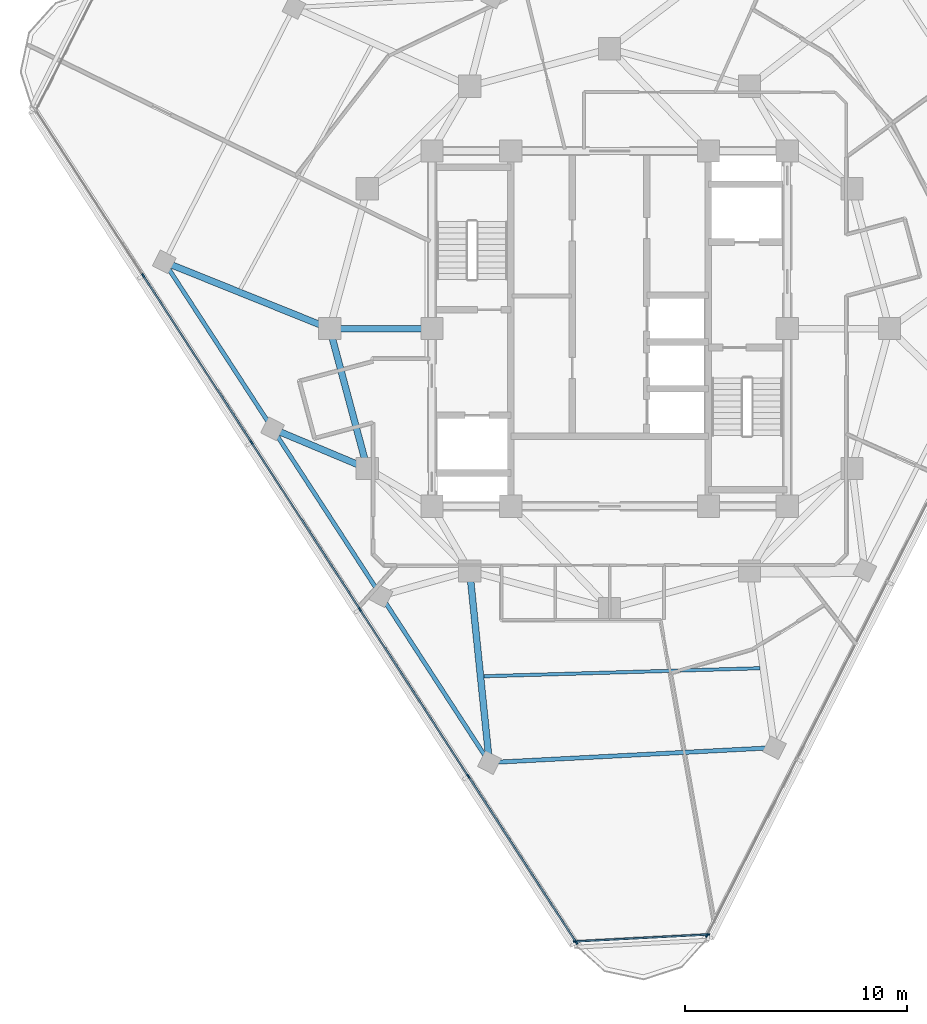
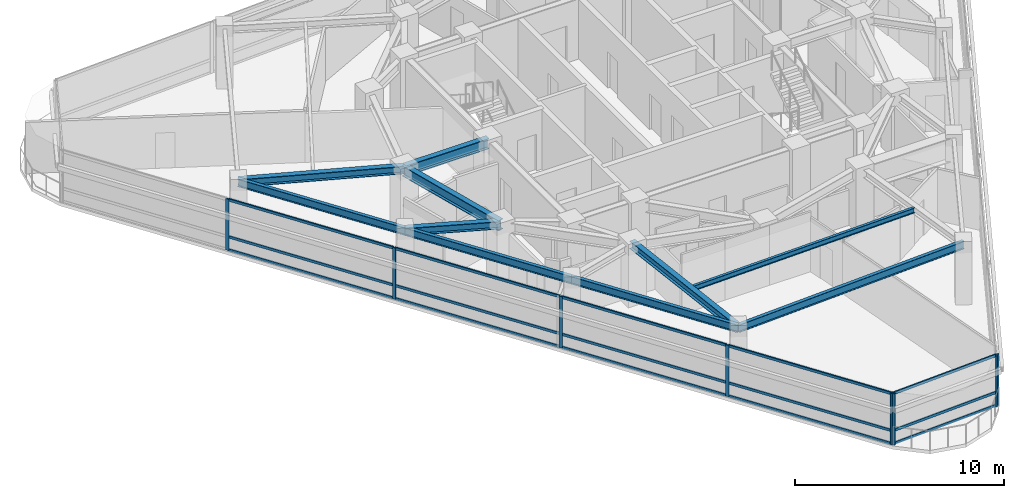
# One storey, part 2 of 15: 23 members, 10 beams, 3 elements without a shape of their own.
"""IFC4 building model written with IfcOpenShell, lengths in metres."""

from ifc_helpers import new_model, si_unit, direction, frame, origin, origin_2d, place, context, subcontext, project, spatial, rectangle, i_section, extrude, material, layer, layer_set, material_profile, profile_set, type_object, element, aggregate, save


model = new_model("IFC4")

# Units and contexts
model_context = context("Model", 3, precision=1e-05, world=origin(), true_north=direction((0.0, 1.0)))
body_context = subcontext(model_context, "Body", "Model", "MODEL_VIEW")
ifc_project = project(units=[si_unit("LENGTHUNIT", "METRE"), si_unit("AREAUNIT", "SQUARE_METRE"), si_unit("VOLUMEUNIT", "CUBIC_METRE"), si_unit("PLANEANGLEUNIT", "RADIAN"), si_unit("MASSUNIT", "GRAM", prefix="KILO")], contexts=[model_context])

# Site, building, storey
site_placement = place(None, origin())
site = spatial("IfcSite", under=ifc_project, at=site_placement, CompositionType="ELEMENT")
building_placement = place(site_placement, origin())
building = spatial("IfcBuilding", under=site, at=building_placement, Name="Terralouvre Media Tower", CompositionType="ELEMENT")
storey_placement = place(building_placement, frame((0.0, 0.0, 248.5)))
storey = spatial("IfcBuildingStorey", under=building, at=storey_placement, Name="L64", CompositionType="ELEMENT", Elevation=248.5)

# Beam
ifc_material_1 = material(Name="Structural steel S355J2", Category="steel")
ifc_material_profile_1 = material_profile(ifc_material_1, i_section(OverallWidth=0.14990234375, OverallDepth=0.300048828125, WebThickness=0.007080078125, FlangeThickness=0.0107421875, at=origin_2d()), Name="IPE 300")
ifc_profile_set_1 = profile_set([ifc_material_profile_1], Name="Structural steel S355J2")
beam_type_1 = type_object("IfcBeamType", Name="Composite Floor Joist J-IPE300 (IPE 300)", PredefinedType="JOIST", material=ifc_profile_set_1)
beam_1_placement = place(storey_placement, frame((-5.662353515625, -15.653564453125, 3.35009765625), z_axis=(0.999577320821, 0.029071974473, 0.0), x_axis=(-0.029071974473, 0.999577320821, 0.0)))
element("IfcBeam", 1, at=beam_1_placement, inside=storey, type_object=beam_type_1, Name="L64 Framing Beam JT-L64-01", PredefinedType="JOIST", context=body_context, shape_type="SweptSolid", body=[
    extrude(i_section(OverallWidth=0.14990234375, OverallDepth=0.300048828125, WebThickness=0.007080078125, FlangeThickness=0.0107421875, at=origin_2d()), origin(), (0.0, 0.0, 1.0), 12.437255859375),
])

# Curtain wall, members
ifc_material_2 = material(Name="Low-iron laminated double glazing with solar-control coating", Category="glass")
ifc_layer_1 = layer(ifc_material_2, 0.1650390625, Name="Upper Executive Tower Curtain Wall CW-05")
ifc_layer_set_1 = layer_set([ifc_layer_1], Name="Low-iron laminated double glazing with solar-control coating")
curtain_wall_type_1 = type_object("IfcCurtainWallType", Name="Upper Executive Tower Curtain Wall CW-05", PredefinedType="NOTDEFINED", material=ifc_layer_set_1)
curtain_wall_1_placement = place(storey_placement, origin())
curtain_wall_1 = element("IfcCurtainWall", 2, at=curtain_wall_1_placement, inside=storey, type_object=curtain_wall_type_1, Name="L64 Facade Curtain Wall F2", PredefinedType="NOTDEFINED")
ifc_material_3 = material(Name="Anodised extruded aluminium 6063-T6", Category="aluminium")
ifc_material_profile_2 = material_profile(ifc_material_3, rectangle(XDim=0.074951171875, YDim=0.14990234375, at=origin_2d()), Name="ALU 75x150")
ifc_profile_set_2 = profile_set([ifc_material_profile_2], Name="Anodised extruded aluminium 6063-T6")
member_type_1 = type_object("IfcMemberType", Name="Curtain-Wall Horizontal Transom TR-150", PredefinedType="USERDEFINED", material=ifc_profile_set_2)
member_1_placement = place(storey_placement, frame((-20.98046875, 2.355712890625, 0.03759765625), z_axis=(0.544647362145, -0.838665160185, 0.0), x_axis=(0.838665160185, 0.544647362145, 0.0)))
member_1 = element("IfcMember", 3, at=member_1_placement, type_object=member_type_1, Name="CW-05 transom 2.1", ObjectType="TRANSOM", PredefinedType="USERDEFINED", context=body_context, shape_type="SweptSolid", body=[
    extrude(rectangle(XDim=0.074951171875, YDim=0.14990234375, at=origin_2d()), origin(), (0.0, 0.0, 1.0), 8.884765625),
])
member_2_placement = place(storey_placement, frame((-20.98046875, 2.355712890625, 0.800048828125), z_axis=(0.544647362145, -0.838665160185, 0.0), x_axis=(0.838665160185, 0.544647362145, 0.0)))
member_2 = element("IfcMember", 4, at=member_2_placement, type_object=member_type_1, Name="CW-05 transom 2.2", ObjectType="TRANSOM", PredefinedType="USERDEFINED", context=body_context, shape_type="SweptSolid", body=[
    extrude(rectangle(XDim=0.074951171875, YDim=0.14990234375, at=origin_2d()), origin(), (0.0, 0.0, 1.0), 8.884765625),
])
member_3_placement = place(storey_placement, frame((-20.98046875, 2.355712890625, 2.96240234375), z_axis=(0.544647362145, -0.838665160185, 0.0), x_axis=(0.838665160185, 0.544647362145, 0.0)))
member_3 = element("IfcMember", 5, at=member_3_placement, type_object=member_type_1, Name="CW-05 transom 2.3", ObjectType="TRANSOM", PredefinedType="USERDEFINED", context=body_context, shape_type="SweptSolid", body=[
    extrude(rectangle(XDim=0.074951171875, YDim=0.14990234375, at=origin_2d()), origin(), (0.0, 0.0, 1.0), 8.884765625),
])
member_4_placement = place(storey_placement, frame((-16.1005859375, -5.15869140625, 0.03759765625), z_axis=(0.544634810925, -0.838673311087, 0.0), x_axis=(0.838673311087, 0.544634810925, 0.0)))
member_4 = element("IfcMember", 6, at=member_4_placement, type_object=member_type_1, Name="CW-05 transom 3.1", ObjectType="TRANSOM", PredefinedType="USERDEFINED", context=body_context, shape_type="SweptSolid", body=[
    extrude(rectangle(XDim=0.074951171875, YDim=0.14990234375, at=origin_2d()), origin(), (0.0, 0.0, 1.0), 8.885009765625),
])
member_5_placement = place(storey_placement, frame((-16.1005859375, -5.15869140625, 0.800048828125), z_axis=(0.544634810925, -0.838673311087, 0.0), x_axis=(0.838673311087, 0.544634810925, 0.0)))
member_5 = element("IfcMember", 7, at=member_5_placement, type_object=member_type_1, Name="CW-05 transom 3.2", ObjectType="TRANSOM", PredefinedType="USERDEFINED", context=body_context, shape_type="SweptSolid", body=[
    extrude(rectangle(XDim=0.074951171875, YDim=0.14990234375, at=origin_2d()), origin(), (0.0, 0.0, 1.0), 8.885009765625),
])
member_6_placement = place(storey_placement, frame((-16.1005859375, -5.15869140625, 2.96240234375), z_axis=(0.544634810925, -0.838673311087, 0.0), x_axis=(0.838673311087, 0.544634810925, 0.0)))
member_6 = element("IfcMember", 8, at=member_6_placement, type_object=member_type_1, Name="CW-05 transom 3.3", ObjectType="TRANSOM", PredefinedType="USERDEFINED", context=body_context, shape_type="SweptSolid", body=[
    extrude(rectangle(XDim=0.074951171875, YDim=0.14990234375, at=origin_2d()), origin(), (0.0, 0.0, 1.0), 8.885009765625),
])
member_7_placement = place(storey_placement, frame((-11.220458984375, -12.673095703125, 0.03759765625), z_axis=(0.544634810925, -0.838673311087, 0.0), x_axis=(0.838673311087, 0.544634810925, 0.0)))
member_7 = element("IfcMember", 9, at=member_7_placement, type_object=member_type_1, Name="CW-05 transom 4.1", ObjectType="TRANSOM", PredefinedType="USERDEFINED", context=body_context, shape_type="SweptSolid", body=[
    extrude(rectangle(XDim=0.074951171875, YDim=0.14990234375, at=origin_2d()), origin(), (0.0, 0.0, 1.0), 8.885009765625),
])
member_8_placement = place(storey_placement, frame((-11.220458984375, -12.673095703125, 0.800048828125), z_axis=(0.544634810925, -0.838673311087, 0.0), x_axis=(0.838673311087, 0.544634810925, 0.0)))
member_8 = element("IfcMember", 10, at=member_8_placement, type_object=member_type_1, Name="CW-05 transom 4.2", ObjectType="TRANSOM", PredefinedType="USERDEFINED", context=body_context, shape_type="SweptSolid", body=[
    extrude(rectangle(XDim=0.074951171875, YDim=0.14990234375, at=origin_2d()), origin(), (0.0, 0.0, 1.0), 8.885009765625),
])
member_9_placement = place(storey_placement, frame((-11.220458984375, -12.673095703125, 2.96240234375), z_axis=(0.544634810925, -0.838673311087, 0.0), x_axis=(0.838673311087, 0.544634810925, 0.0)))
member_9 = element("IfcMember", 11, at=member_9_placement, type_object=member_type_1, Name="CW-05 transom 4.3", ObjectType="TRANSOM", PredefinedType="USERDEFINED", context=body_context, shape_type="SweptSolid", body=[
    extrude(rectangle(XDim=0.074951171875, YDim=0.14990234375, at=origin_2d()), origin(), (0.0, 0.0, 1.0), 8.885009765625),
])
member_10_placement = place(storey_placement, frame((-6.340576171875, -20.187744140625, 0.03759765625), z_axis=(0.544630398361, -0.838676176591, 0.0), x_axis=(0.838676176591, 0.544630398361, 0.0)))
member_10 = element("IfcMember", 12, at=member_10_placement, type_object=member_type_1, Name="CW-05 transom 5.1", ObjectType="TRANSOM", PredefinedType="USERDEFINED", context=body_context, shape_type="SweptSolid", body=[
    extrude(rectangle(XDim=0.074951171875, YDim=0.14990234375, at=origin_2d()), origin(), (0.0, 0.0, 1.0), 8.847412109375),
])
member_11_placement = place(storey_placement, frame((-6.340576171875, -20.187744140625, 0.800048828125), z_axis=(0.544630398361, -0.838676176591, 0.0), x_axis=(0.838676176591, 0.544630398361, 0.0)))
member_11 = element("IfcMember", 13, at=member_11_placement, type_object=member_type_1, Name="CW-05 transom 5.2", ObjectType="TRANSOM", PredefinedType="USERDEFINED", context=body_context, shape_type="SweptSolid", body=[
    extrude(rectangle(XDim=0.074951171875, YDim=0.14990234375, at=origin_2d()), origin(), (0.0, 0.0, 1.0), 8.847412109375),
])
member_12_placement = place(storey_placement, frame((-6.340576171875, -20.187744140625, 2.96240234375), z_axis=(0.544630398361, -0.838676176591, 0.0), x_axis=(0.838676176591, 0.544630398361, 0.0)))
member_12 = element("IfcMember", 14, at=member_12_placement, type_object=member_type_1, Name="CW-05 transom 5.3", ObjectType="TRANSOM", PredefinedType="USERDEFINED", context=body_context, shape_type="SweptSolid", body=[
    extrude(rectangle(XDim=0.074951171875, YDim=0.14990234375, at=origin_2d()), origin(), (0.0, 0.0, 1.0), 8.847412109375),
])

ifc_material_4 = material(Name="Low-iron laminated double glazing with solar-control coating", Category="glass")
ifc_layer_2 = layer(ifc_material_4, 0.1650390625, Name="Rounded Wind-Corner Curved Glazing CW-04")
ifc_layer_set_2 = layer_set([ifc_layer_2], Name="Low-iron laminated double glazing with solar-control coating")
curtain_wall_type_2 = type_object("IfcCurtainWallType", Name="Rounded Wind-Corner Curved Glazing CW-04", PredefinedType="NOTDEFINED", material=ifc_layer_set_2)
curtain_wall_2_placement = place(storey_placement, origin())
curtain_wall_2 = element("IfcCurtainWall", 15, at=curtain_wall_2_placement, inside=storey, type_object=curtain_wall_type_2, Name="L64 Rounded Wind-Corner Curtain Wall C0", PredefinedType="NOTDEFINED")
member_13_placement = place(storey_placement, frame((-1.51416015625, -27.59228515625, 0.03759765625), z_axis=(0.998630348994, 0.052320417325, 0.0), x_axis=(-0.052320417325, 0.998630348994, 0.0)))
member_13 = element("IfcMember", 16, at=member_13_placement, type_object=member_type_1, Name="CW-04 transom 1.1", ObjectType="TRANSOM", PredefinedType="USERDEFINED", context=body_context, shape_type="SweptSolid", body=[
    extrude(rectangle(XDim=0.074951171875, YDim=0.14990234375, at=origin_2d()), origin(), (0.0, 0.0, 1.0), 5.912109375),
])
member_14_placement = place(storey_placement, frame((-1.51416015625, -27.59228515625, 0.800048828125), z_axis=(0.998630348994, 0.052320417325, 0.0), x_axis=(-0.052320417325, 0.998630348994, 0.0)))
member_14 = element("IfcMember", 17, at=member_14_placement, type_object=member_type_1, Name="CW-04 transom 1.2", ObjectType="TRANSOM", PredefinedType="USERDEFINED", context=body_context, shape_type="SweptSolid", body=[
    extrude(rectangle(XDim=0.074951171875, YDim=0.14990234375, at=origin_2d()), origin(), (0.0, 0.0, 1.0), 5.912109375),
])
member_15_placement = place(storey_placement, frame((-1.51416015625, -27.59228515625, 2.96240234375), z_axis=(0.998630348994, 0.052320417325, 0.0), x_axis=(-0.052320417325, 0.998630348994, 0.0)))
member_15 = element("IfcMember", 18, at=member_15_placement, type_object=member_type_1, Name="CW-04 transom 1.3", ObjectType="TRANSOM", PredefinedType="USERDEFINED", context=body_context, shape_type="SweptSolid", body=[
    extrude(rectangle(XDim=0.074951171875, YDim=0.14990234375, at=origin_2d()), origin(), (0.0, 0.0, 1.0), 5.912109375),
])

# Curtain wall, member
curtain_wall_3_placement = place(storey_placement, origin())
curtain_wall_3 = element("IfcCurtainWall", 19, at=curtain_wall_3_placement, inside=storey, type_object=curtain_wall_type_1, Name="L64 Facade Curtain Wall F0", PredefinedType="NOTDEFINED")
ifc_material_5 = material(Name="Anodised extruded aluminium 6063-T6", Category="aluminium")
ifc_material_profile_3 = material_profile(ifc_material_5, rectangle(XDim=0.074951171875, YDim=0.179931640625, at=origin_2d()), Name="ALU 75x180")
ifc_profile_set_3 = profile_set([ifc_material_profile_3], Name="Anodised extruded aluminium 6063-T6")
member_type_2 = type_object("IfcMemberType", Name="Curtain-Wall Vertical Mullion ML-180", PredefinedType="MULLION", material=ifc_profile_set_3)
member_16_placement = place(storey_placement, frame((4.38232421875, -27.330810546875, 0.0), z_axis=(0.0, 0.0, 1.0), x_axis=(-0.891006553308, 0.45399044259, 0.0)))
member_16 = element("IfcMember", 20, at=member_16_placement, type_object=member_type_2, Name="CW-05 mullion 1", PredefinedType="MULLION", context=body_context, shape_type="SweptSolid", body=[
    extrude(rectangle(XDim=0.074951171875, YDim=0.179931640625, at=origin_2d()), origin(), (0.0, 0.0, 1.0), 3.0),
])
aggregate(curtain_wall_3, [member_16])

# Member
member_17_placement = place(storey_placement, frame((-21.0009765625, 2.38720703125, 0.0), z_axis=(0.0, 0.0, 1.0), x_axis=(0.838670545826, 0.544639069077, 0.0)))
member_17 = element("IfcMember", 21, at=member_17_placement, type_object=member_type_2, Name="CW-05 mullion 2", PredefinedType="MULLION", context=body_context, shape_type="SweptSolid", body=[
    extrude(rectangle(XDim=0.074951171875, YDim=0.179931640625, at=origin_2d()), origin(), (0.0, 0.0, 1.0), 3.0),
])

member_18_placement = place(storey_placement, frame((-16.120849609375, -5.127197265625, 0.0), z_axis=(0.0, 0.0, 1.0), x_axis=(0.838670545826, 0.544639069077, 0.0)))
member_18 = element("IfcMember", 22, at=member_18_placement, type_object=member_type_2, Name="CW-05 mullion 3", PredefinedType="MULLION", context=body_context, shape_type="SweptSolid", body=[
    extrude(rectangle(XDim=0.074951171875, YDim=0.179931640625, at=origin_2d()), origin(), (0.0, 0.0, 1.0), 3.0),
])

member_19_placement = place(storey_placement, frame((-11.240966796875, -12.641845703125, 0.0), z_axis=(0.0, 0.0, 1.0), x_axis=(0.838670545826, 0.544639069077, 0.0)))
member_19 = element("IfcMember", 23, at=member_19_placement, type_object=member_type_2, Name="CW-05 mullion 4", PredefinedType="MULLION", context=body_context, shape_type="SweptSolid", body=[
    extrude(rectangle(XDim=0.074951171875, YDim=0.179931640625, at=origin_2d()), origin(), (0.0, 0.0, 1.0), 3.0),
])

member_20_placement = place(storey_placement, frame((-6.361083984375, -20.15625, 0.0), z_axis=(0.0, 0.0, 1.0), x_axis=(0.838670545826, 0.544639069077, 0.0)))
member_20 = element("IfcMember", 24, at=member_20_placement, type_object=member_type_2, Name="CW-05 mullion 5", PredefinedType="MULLION", context=body_context, shape_type="SweptSolid", body=[
    extrude(rectangle(XDim=0.074951171875, YDim=0.179931640625, at=origin_2d()), origin(), (0.0, 0.0, 1.0), 3.0),
])

member_21_placement = place(storey_placement, frame((-1.50146484375, -27.63916015625, 0.0), z_axis=(0.0, 0.0, 1.0), x_axis=(0.838670545826, 0.544639069077, 0.0)))
member_21 = element("IfcMember", 25, at=member_21_placement, type_object=member_type_2, Name="CW-05 mullion 6", PredefinedType="MULLION", context=body_context, shape_type="SweptSolid", body=[
    extrude(rectangle(XDim=0.074951171875, YDim=0.179931640625, at=origin_2d()), origin(), (0.0, 0.0, 1.0), 3.0),
])

aggregate(curtain_wall_1, [member_17, member_18, member_19, member_20, member_21, member_1, member_2, member_3, member_4, member_5, member_6, member_7, member_8, member_9, member_10, member_11, member_12])

member_22_placement = place(storey_placement, frame((-1.551513671875, -27.59423828125, 0.0), z_axis=(0.0, 0.0, 1.0), x_axis=(-0.05233597552, 0.998629533744, 0.0)))
member_22 = element("IfcMember", 26, at=member_22_placement, type_object=member_type_2, Name="CW-04 mullion 1", PredefinedType="MULLION", context=body_context, shape_type="SweptSolid", body=[
    extrude(rectangle(XDim=0.074951171875, YDim=0.179931640625, at=origin_2d()), origin(), (0.0, 0.0, 1.0), 3.0),
])

member_23_placement = place(storey_placement, frame((4.427490234375, -27.281005859375, 0.0), z_axis=(0.0, 0.0, 1.0), x_axis=(-0.05233597552, 0.998629533744, 0.0)))
member_23 = element("IfcMember", 27, at=member_23_placement, type_object=member_type_2, Name="CW-04 mullion 2", PredefinedType="MULLION", context=body_context, shape_type="SweptSolid", body=[
    extrude(rectangle(XDim=0.074951171875, YDim=0.179931640625, at=origin_2d()), origin(), (0.0, 0.0, 1.0), 3.0),
])

aggregate(curtain_wall_2, [member_22, member_23, member_13, member_14, member_15])

# Beams
ifc_material_6 = material(Name="Structural steel S355J2", Category="steel")
ifc_material_profile_4 = material_profile(ifc_material_6, i_section(OverallWidth=0.18994140625, OverallDepth=0.449951171875, WebThickness=0.009521484375, FlangeThickness=0.0146484375, at=origin_2d()), Name="IPE 450")
ifc_profile_set_4 = profile_set([ifc_material_profile_4], Name="Structural steel S355J2")
beam_type_2 = type_object("IfcBeamType", Name="Perimeter Spandrel Beam SPB-450 (IPE 450)", PredefinedType="SPANDREL", material=ifc_profile_set_4)
beam_2_placement = place(storey_placement, frame((-15.17333984375, -4.51171875, 3.27490234375), z_axis=(0.544643524961, -0.838667652123, 0.0), x_axis=(0.838667652123, 0.544643524961, 0.0)))
element("IfcBeam", 28, at=beam_2_placement, inside=storey, type_object=beam_type_2, Name="L64 Framing Beam BM-L64-PR01", PredefinedType="SPANDREL", context=body_context, shape_type="SweptSolid", body=[
    extrude(i_section(OverallWidth=0.18994140625, OverallDepth=0.449951171875, WebThickness=0.009521484375, FlangeThickness=0.0146484375, at=origin_2d()), origin(), (0.0, 0.0, 1.0), 8.960205078125),
])
beam_3_placement = place(storey_placement, frame((-10.293212890625, -12.0263671875, 3.27490234375), z_axis=(0.544636805853, -0.838672015576, 0.0), x_axis=(0.838672015576, 0.544636805853, 0.0)))
element("IfcBeam", 29, at=beam_3_placement, inside=storey, type_object=beam_type_2, Name="L64 Framing Beam BM-L64-PR02", PredefinedType="SPANDREL", context=body_context, shape_type="SweptSolid", body=[
    extrude(i_section(OverallWidth=0.18994140625, OverallDepth=0.449951171875, WebThickness=0.009521484375, FlangeThickness=0.0146484375, at=origin_2d()), origin(), (0.0, 0.0, 1.0), 8.9599609375),
])
beam_4_placement = place(storey_placement, frame((-5.413330078125, -19.540771484375, 3.27490234375), z_axis=(0.998629710924, 0.052332594613, 0.0), x_axis=(-0.052332594613, 0.998629710924, 0.0)))
element("IfcBeam", 30, at=beam_4_placement, inside=storey, type_object=beam_type_2, Name="L64 Framing Beam BM-L64-PR03", PredefinedType="SPANDREL", context=body_context, shape_type="SweptSolid", body=[
    extrude(i_section(OverallWidth=0.18994140625, OverallDepth=0.449951171875, WebThickness=0.009521484375, FlangeThickness=0.0146484375, at=origin_2d()), origin(), (0.0, 0.0, 1.0), 12.857177734375),
])
beam_5_placement = place(storey_placement, frame((-20.05322265625, 3.002685546875, 3.27490234375), z_axis=(0.544636805853, -0.838672015576, 0.0), x_axis=(0.838672015576, 0.544636805853, 0.0)))
element("IfcBeam", 31, at=beam_5_placement, inside=storey, type_object=beam_type_2, Name="L64 Framing Beam BM-L64-PR12", PredefinedType="SPANDREL", context=body_context, shape_type="SweptSolid", body=[
    extrude(i_section(OverallWidth=0.18994140625, OverallDepth=0.449951171875, WebThickness=0.009521484375, FlangeThickness=0.0146484375, at=origin_2d()), origin(), (0.0, 0.0, 1.0), 8.9599609375),
])
ifc_material_7 = material(Name="Structural steel S355J2", Category="steel")
ifc_material_profile_5 = material_profile(ifc_material_7, i_section(OverallWidth=0.300048828125, OverallDepth=0.449951171875, WebThickness=0.013916015625, FlangeThickness=0.02587890625, at=origin_2d()), Name="HEB 450")
ifc_profile_set_5 = profile_set([ifc_material_profile_5], Name="Structural steel S355J2")
beam_type_3 = type_object("IfcBeamType", Name="Primary Floor Girder B-HEB450 (HEB 450)", PredefinedType="BEAM", material=ifc_profile_set_5)
beam_6_placement = place(storey_placement, frame((-10.911865234375, -6.300048828125, 3.27490234375), z_axis=(-0.922097113404, 0.386958542291, 0.0), x_axis=(-0.386958542291, -0.922097113404, 0.0)))
element("IfcBeam", 32, at=beam_6_placement, inside=storey, type_object=beam_type_3, Name="L64 Framing Beam BM-L64-RD01", PredefinedType="BEAM", context=body_context, shape_type="SweptSolid", body=[
    extrude(i_section(OverallWidth=0.300048828125, OverallDepth=0.449951171875, WebThickness=0.013916015625, FlangeThickness=0.02587890625, at=origin_2d()), origin(), (0.0, 0.0, 1.0), 4.62158203125),
])
beam_7_placement = place(storey_placement, frame((-6.300048828125, -10.911865234375, 3.27490234375), z_axis=(0.102223114396, -0.994761496482, 0.0), x_axis=(0.994761496482, 0.102223114396, 0.0)))
element("IfcBeam", 33, at=beam_7_placement, inside=storey, type_object=beam_type_3, Name="L64 Framing Beam BM-L64-RD03", PredefinedType="BEAM", context=body_context, shape_type="SweptSolid", body=[
    extrude(i_section(OverallWidth=0.300048828125, OverallDepth=0.449951171875, WebThickness=0.013916015625, FlangeThickness=0.02587890625, at=origin_2d()), origin(), (0.0, 0.0, 1.0), 8.67431640625),
])
beam_8_placement = place(storey_placement, frame((-12.60009765625, 0.0, 3.27490234375), z_axis=(-0.927553949727, 0.373689269775, 0.0), x_axis=(-0.373689269775, -0.927553949727, 0.0)))
element("IfcBeam", 34, at=beam_8_placement, inside=storey, type_object=beam_type_3, Name="L64 Framing Beam BM-L64-RD12", PredefinedType="BEAM", context=body_context, shape_type="SweptSolid", body=[
    extrude(i_section(OverallWidth=0.300048828125, OverallDepth=0.449951171875, WebThickness=0.013916015625, FlangeThickness=0.02587890625, at=origin_2d()), origin(), (0.0, 0.0, 1.0), 8.03515625),
])
ifc_material_8 = material(Name="Structural steel S460M", Category="steel")
ifc_material_profile_6 = material_profile(ifc_material_8, i_section(OverallWidth=0.300048828125, OverallDepth=0.60009765625, WebThickness=0.015380859375, FlangeThickness=0.030029296875, at=origin_2d()), Name="HEB 600")
ifc_profile_set_6 = profile_set([ifc_material_profile_6], Name="Structural steel S460M")
beam_type_4 = type_object("IfcBeamType", Name="Primary Floor Girder B-HEB600 (HEB 600)", PredefinedType="BEAM", material=ifc_profile_set_6)
beam_9_placement = place(storey_placement, frame((-12.60009765625, 0.0, 3.199951171875), z_axis=(0.258838989821, -0.965920481897, 0.0), x_axis=(0.965920481897, 0.258838989821, 0.0)))
element("IfcBeam", 35, at=beam_9_placement, inside=storey, type_object=beam_type_4, Name="L64 Framing Beam BM-L64-MR12", PredefinedType="BEAM", context=body_context, shape_type="SweptSolid", body=[
    extrude(i_section(OverallWidth=0.300048828125, OverallDepth=0.60009765625, WebThickness=0.015380859375, FlangeThickness=0.030029296875, at=origin_2d()), origin(), (0.0, 0.0, 1.0), 6.522216796875),
])
beam_10_placement = place(storey_placement, frame((-8.0, 0.0, 3.199951171875), z_axis=(-1.0, 0.0, 0.0), x_axis=(0.0, -1.0, 0.0)))
element("IfcBeam", 36, at=beam_10_placement, inside=storey, type_object=beam_type_4, Name="L64 Framing Beam BM-L64-CM12", PredefinedType="BEAM", context=body_context, shape_type="SweptSolid", body=[
    extrude(i_section(OverallWidth=0.300048828125, OverallDepth=0.60009765625, WebThickness=0.015380859375, FlangeThickness=0.030029296875, at=origin_2d()), origin(), (0.0, 0.0, 1.0), 4.60009765625),
])

save(model, "model.ifc")
